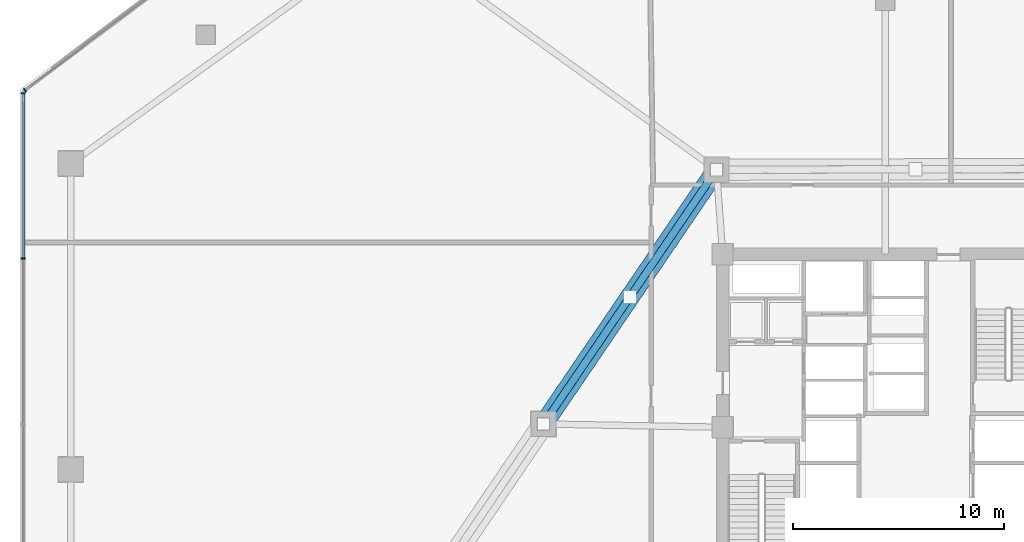
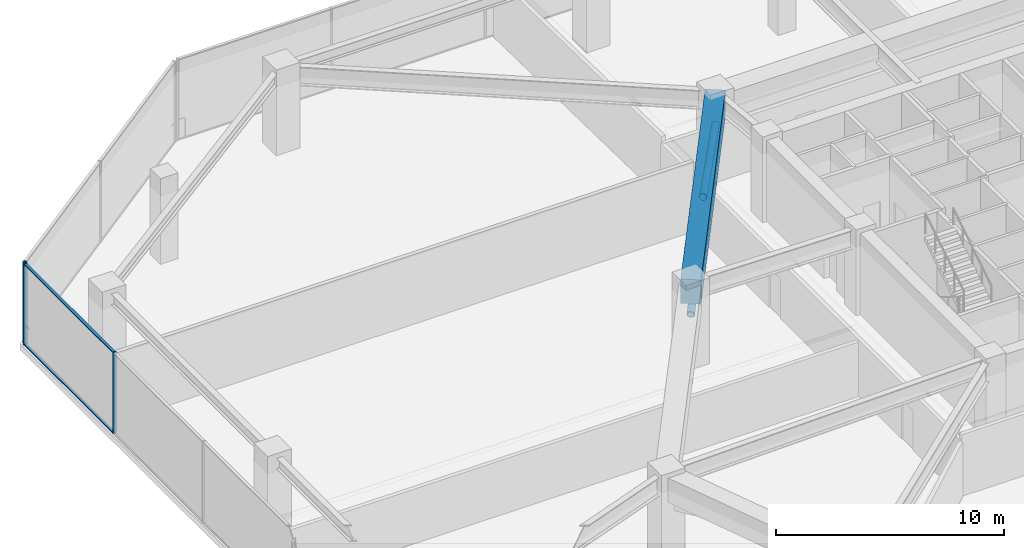
# One storey, part 7 of 23: 7 members, 1 beam, 2 elements without a shape of their own.
"""IFC4 building model written with IfcOpenShell, lengths in metres."""

from ifc_helpers import new_model, si_unit, direction, frame, origin, origin_2d, place, context, subcontext, project, spatial, rectangle, hollow_circle, extrude, material, material_profile, profile_set, type_object, element, aggregate, save


model = new_model("IFC4")

# Units and contexts
model_context = context("Model", 3, precision=1e-05, world=origin(), true_north=direction((0.0, 1.0)))
body_context = subcontext(model_context, "Body", "Model", "MODEL_VIEW")
ifc_project = project(units=[si_unit("LENGTHUNIT", "METRE"), si_unit("AREAUNIT", "SQUARE_METRE"), si_unit("VOLUMEUNIT", "CUBIC_METRE"), si_unit("PLANEANGLEUNIT", "RADIAN"), si_unit("MASSUNIT", "GRAM", prefix="KILO")], contexts=[model_context])

# Site, building, storey
site_placement = place(None, origin())
site = spatial("IfcSite", under=ifc_project, at=site_placement, CompositionType="ELEMENT")
building_placement = place(site_placement, origin())
building = spatial("IfcBuilding", under=site, at=building_placement, Name="Savorim Split Tower", CompositionType="ELEMENT")
storey_placement = place(building_placement, frame((0.0, 0.0, 21.800048828125)))
storey = spatial("IfcBuildingStorey", under=building, at=storey_placement, Name="L05", CompositionType="ELEMENT", Elevation=21.800048828125)

# Beam
ifc_material_1 = material(Name="Concrete C60/75", Category="concrete")
ifc_material_profile_1 = material_profile(ifc_material_1, rectangle(XDim=0.89990234375, YDim=1.300048828125, at=origin_2d()), Name="RC 900x1300")
ifc_profile_set_1 = profile_set([ifc_material_profile_1], Name="Concrete C60/75")
beam_type = type_object("IfcBeamType", Name="BM-TRF-RC1300", PredefinedType="BEAM", material=ifc_profile_set_1)
beam_placement = place(storey_placement, frame((-7.992431640625, 14.20166015625, 3.699951171875), z_axis=(-0.562474533364, -0.826814610004, 0.0), x_axis=(0.826814610004, -0.562474533364, 0.0)))
element("IfcBeam", 1, at=beam_placement, inside=storey, type_object=beam_type, Name="L05 Transfer Belt Girder PC-W1-PC-W2", PredefinedType="BEAM", context=body_context, shape_type="SweptSolid", body=[
    extrude(rectangle(XDim=0.89990234375, YDim=1.300048828125, at=origin_2d()), origin(), (0.0, 0.0, 1.0), 14.5712890625),
])

# Curtain wall, member
ifc_material_2 = material(Name="Dark Ceramic-Fritted Insulated Glass", Category="glass")
curtain_wall_type = type_object("IfcCurtainWallType", Name="CW-REFUGE-LVR", PredefinedType="NOTDEFINED", material=ifc_material_2)
curtain_wall_1_placement = place(storey_placement, origin())
curtain_wall_1 = element("IfcCurtainWall", 2, at=curtain_wall_1_placement, inside=storey, type_object=curtain_wall_type, Name="L05 Curtain Wall CW-L05-E09", PredefinedType="NOTDEFINED")
ifc_material_3 = material(Name="Charcoal Anodised Aluminium", Category="aluminium")
ifc_material_profile_2 = material_profile(ifc_material_3, rectangle(XDim=0.179931640625, YDim=0.06494140625, at=origin_2d()), Name="ALU-M 180x65")
ifc_profile_set_2 = profile_set([ifc_material_profile_2], Name="Charcoal Anodised Aluminium")
member_type_1 = type_object("IfcMemberType", Name="CWM-180x65", PredefinedType="MULLION", material=ifc_profile_set_2)
member_1_placement = place(storey_placement, frame((-40.76611328125, 17.9755859375, 0.0), z_axis=(0.0, 0.0, 1.0), x_axis=(0.600000000002, -0.799999999998, 0.0)))
member_1 = element("IfcMember", 3, at=member_1_placement, type_object=member_type_1, Name="CW-06 mullion 3", PredefinedType="MULLION", context=body_context, shape_type="SweptSolid", body=[
    extrude(rectangle(XDim=0.179931640625, YDim=0.06494140625, at=origin_2d()), origin(), (0.0, 0.0, 1.0), 4.349853515625),
])
aggregate(curtain_wall_1, [member_1])

# Curtain wall, members
curtain_wall_2_placement = place(storey_placement, origin())
curtain_wall_2 = element("IfcCurtainWall", 4, at=curtain_wall_2_placement, inside=storey, type_object=curtain_wall_type, Name="L05 Curtain Wall CW-L05-E10", PredefinedType="NOTDEFINED")
member_2_placement = place(storey_placement, frame((-40.840087890625, 17.827392578125, 0.0), z_axis=(0.0, 0.0, 1.0), x_axis=(1.0, 0.0, 0.0)))
member_2 = element("IfcMember", 5, at=member_2_placement, type_object=member_type_1, Name="CW-06 mullion 1", PredefinedType="MULLION", context=body_context, shape_type="SweptSolid", body=[
    extrude(rectangle(XDim=0.179931640625, YDim=0.06494140625, at=origin_2d()), origin(), (0.0, 0.0, 1.0), 4.349853515625),
])
member_3_placement = place(storey_placement, frame((-40.840087890625, 9.99609375, 0.0), z_axis=(0.0, 0.0, 1.0), x_axis=(1.0, 0.0, 0.0)))
member_3 = element("IfcMember", 6, at=member_3_placement, type_object=member_type_1, Name="CW-06 mullion 2", PredefinedType="MULLION", context=body_context, shape_type="SweptSolid", body=[
    extrude(rectangle(XDim=0.179931640625, YDim=0.06494140625, at=origin_2d()), origin(), (0.0, 0.0, 1.0), 4.349853515625),
])
ifc_material_profile_3 = material_profile(ifc_material_3, rectangle(XDim=0.139892578125, YDim=0.054931640625, at=origin_2d()), Name="ALU-T 140x55")
ifc_profile_set_3 = profile_set([ifc_material_profile_3], Name="Charcoal Anodised Aluminium")
member_type_2 = type_object("IfcMemberType", Name="CWT-140x55", PredefinedType="USERDEFINED", material=ifc_profile_set_3)
member_4_placement = place(storey_placement, frame((-40.840087890625, 17.794921875, 0.02734375), z_axis=(0.0, -1.0, 0.0), x_axis=(1.0, 0.0, 0.0)))
member_4 = element("IfcMember", 7, at=member_4_placement, type_object=member_type_2, Name="CW-06 transom 1.1", ObjectType="TRANSOM", PredefinedType="USERDEFINED", context=body_context, shape_type="SweptSolid", body=[
    extrude(rectangle(XDim=0.139892578125, YDim=0.054931640625, at=origin_2d()), origin(), (0.0, 0.0, 1.0), 7.766357421875),
])
member_5_placement = place(storey_placement, frame((-40.840087890625, 17.794921875, 4.322509765625), z_axis=(0.0, -1.0, 0.0), x_axis=(1.0, 0.0, 0.0)))
member_5 = element("IfcMember", 8, at=member_5_placement, type_object=member_type_2, Name="CW-06 transom 1.2", ObjectType="TRANSOM", PredefinedType="USERDEFINED", context=body_context, shape_type="SweptSolid", body=[
    extrude(rectangle(XDim=0.139892578125, YDim=0.054931640625, at=origin_2d()), origin(), (0.0, 0.0, 1.0), 7.766357421875),
])
aggregate(curtain_wall_2, [member_2, member_3, member_4, member_5])

# Members
ifc_material_4 = material(Name="Steel S460", Category="steel")
ifc_material_profile_4 = material_profile(ifc_material_4, hollow_circle(Radius=0.177734375, WallThickness=0.02001953125, at=origin_2d()), Name="CHS 355.6x20")
ifc_profile_set_4 = profile_set([ifc_material_profile_4], Name="Steel S460")
member_type_3 = type_object("IfcMemberType", Name="MBR-BLT-CHS355", PredefinedType="BRACE", material=ifc_profile_set_4)
member_6_placement = place(storey_placement, frame((-7.992431640625, 14.20166015625, 2.47998046875), z_axis=(-0.555130733061, -0.815995216702, 0.161188323182), x_axis=(0.826806817987, -0.562485987141, 0.0)))
element("IfcMember", 9, at=member_6_placement, inside=storey, type_object=member_type_3, Name="L05 Transfer Belt Truss Brace 8A", PredefinedType="BRACE", context=body_context, shape_type="SweptSolid", body=[
    extrude(hollow_circle(Radius=0.177734375, WallThickness=0.02001953125, at=origin_2d()), origin(), (0.0, 0.0, 1.0), 7.38232421875),
])
member_7_placement = place(storey_placement, frame((-16.1884765625, 2.15380859375, 2.47998046875), z_axis=(0.555107852888, 0.816010197328, 0.161191282393), x_axis=(-0.82682240201, 0.562463079263, 0.0)))
element("IfcMember", 10, at=member_7_placement, inside=storey, type_object=member_type_3, Name="L05 Transfer Belt Truss Brace 8B", PredefinedType="BRACE", context=body_context, shape_type="SweptSolid", body=[
    extrude(hollow_circle(Radius=0.177734375, WallThickness=0.02001953125, at=origin_2d()), origin(), (0.0, 0.0, 1.0), 7.382080078125),
])

save(model, "model.ifc")
